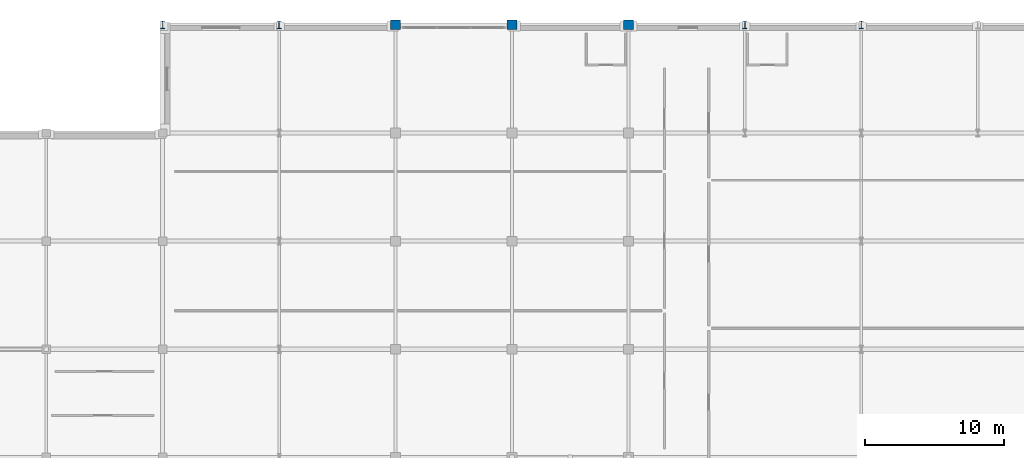
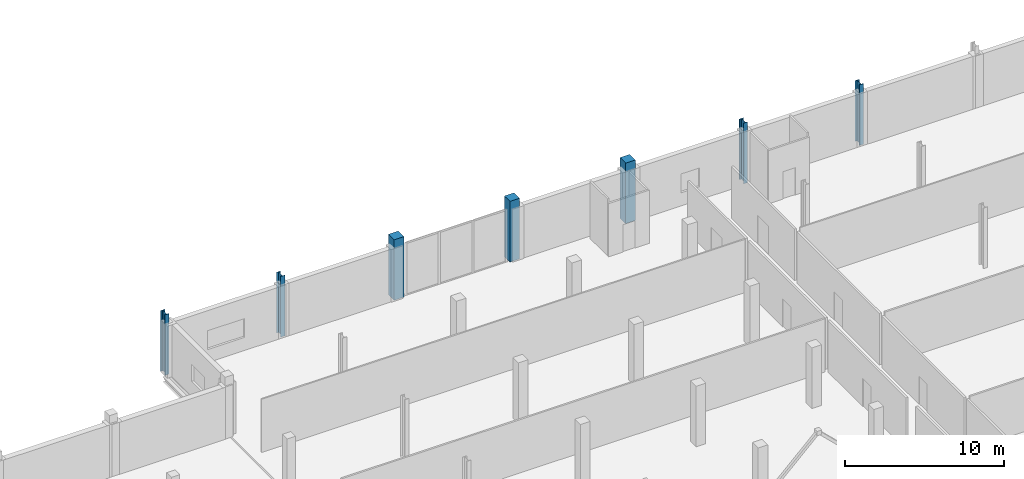
# One storey, part 22 of 98: 7 columns.
"""IFC4 building model written with IfcOpenShell, lengths in metres."""

from ifc_helpers import new_model, si_unit, direction, frame, origin, origin_2d, place, context, subcontext, project, spatial, rectangle, i_section, extrude, material, material_profile, profile_set, type_object, element, save


model = new_model("IFC4")

# Units and contexts
model_context = context("Model", 3, precision=1e-05, world=origin(), true_north=direction((0.0, 1.0)))
body_context = subcontext(model_context, "Body", "Model", "MODEL_VIEW")
ifc_project = project(units=[si_unit("LENGTHUNIT", "METRE"), si_unit("AREAUNIT", "SQUARE_METRE"), si_unit("VOLUMEUNIT", "CUBIC_METRE"), si_unit("PLANEANGLEUNIT", "RADIAN"), si_unit("MASSUNIT", "GRAM", prefix="KILO")], contexts=[model_context])

# Site, building, storey
site_placement = place(None, origin())
site = spatial("IfcSite", under=ifc_project, at=site_placement, CompositionType="ELEMENT")
building_placement = place(site_placement, origin())
building = spatial("IfcBuilding", under=site, at=building_placement, Name="Nabrawat Pavilion Hospital", CompositionType="ELEMENT")
storey_placement = place(building_placement, frame((0.0, 0.0, 10.199951171875)))
storey = spatial("IfcBuildingStorey", under=building, at=storey_placement, Name="L02", CompositionType="ELEMENT", Elevation=10.199951171875)

# Columns
ifc_material_1 = material(Name="Steel S355", Category="steel")
ifc_material_profile_1 = material_profile(ifc_material_1, i_section(OverallWidth=0.300048828125, OverallDepth=0.550048828125, WebThickness=0.014892578125, FlangeThickness=0.029052734375, FilletRadius=0.027099609375, at=origin_2d()), Name="HEB 550")
ifc_profile_set_1 = profile_set([ifc_material_profile_1], Name="Steel S355")
column_type_1 = type_object("IfcColumnType", Name="Composite Steel Column HEB 550", PredefinedType="COLUMN", material=ifc_profile_set_1)
for number, where, z_axis, x_axis, name in (
    (1, (126.0, 124.800048828125, 0.0), (0.0, 0.0, 1.0), (1.0, 0.0, 0.0), "L02 Structural Column G-16A-S"),
    (2, (134.39990234375, 124.800048828125, 0.0), (0.0, 0.0, 1.0), (1.0, 0.0, 0.0), "L02 Structural Column G-17-S"),
    (3, (168.0, 124.800048828125, 0.0), (0.0, 0.0, 1.0), (1.0, 0.0, 0.0), "L02 Structural Column G-21-S"),
    (4, (176.39990234375, 124.800048828125, 0.0), (0.0, 0.0, 1.0), (1.0, 0.0, 0.0), "L02 Structural Column G-22-S"),
):
    element("IfcColumn", number, at=place(storey_placement, frame(where, z_axis=z_axis, x_axis=x_axis)), inside=storey, type_object=column_type_1, Name=name, PredefinedType="COLUMN", context=body_context, shape_type="SweptSolid", body=[
        extrude(i_section(OverallWidth=0.300048828125, OverallDepth=0.550048828125, WebThickness=0.014892578125, FlangeThickness=0.029052734375, FilletRadius=0.027099609375, at=origin_2d()), origin(), (0.0, 0.0, 1.0), 4.650146484375),
    ])
ifc_material_2 = material(Name="Concrete C40/50", Category="concrete")
ifc_material_profile_2 = material_profile(ifc_material_2, rectangle(XDim=0.699951171875, YDim=0.699951171875, at=origin_2d()), Name="RC 700x700")
ifc_profile_set_2 = profile_set([ifc_material_profile_2], Name="Concrete C40/50")
column_type_2 = type_object("IfcColumnType", Name="Mid-Tier Ward RC Column 700x700", PredefinedType="COLUMN", material=ifc_profile_set_2)
for number, where, z_axis, x_axis, name in (
    (5, (142.800048828125, 124.800048828125, 0.0), (0.0, 0.0, 1.0), (1.0, 0.0, 0.0), "L02 Structural Column G-18-S"),
    (6, (151.199951171875, 124.800048828125, 0.0), (0.0, 0.0, 1.0), (1.0, 0.0, 0.0), "L02 Structural Column G-19-S"),
    (7, (159.60009765625, 124.800048828125, 0.0), (0.0, 0.0, 1.0), (1.0, 0.0, 0.0), "L02 Structural Column G-20-S"),
):
    element("IfcColumn", number, at=place(storey_placement, frame(where, z_axis=z_axis, x_axis=x_axis)), inside=storey, type_object=column_type_2, Name=name, PredefinedType="COLUMN", context=body_context, shape_type="SweptSolid", body=[
        extrude(rectangle(XDim=0.699951171875, YDim=0.699951171875, at=origin_2d()), origin(), (0.0, 0.0, 1.0), 4.650146484375),
    ])

save(model, "model.ifc")
